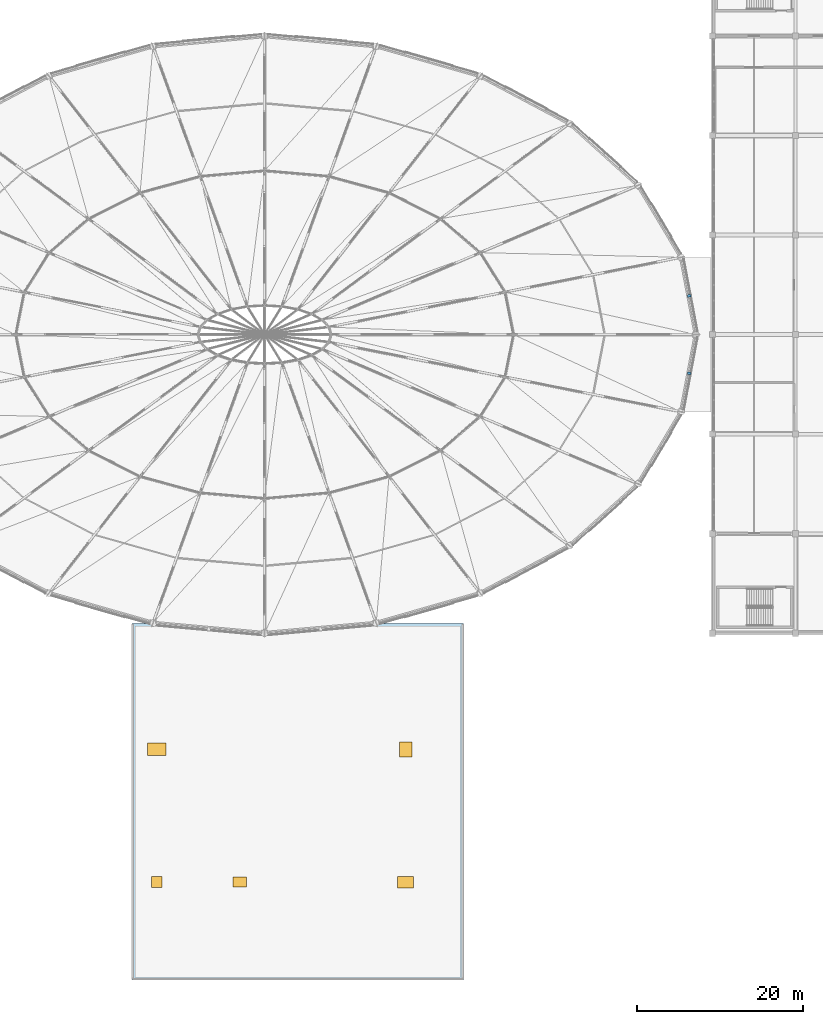
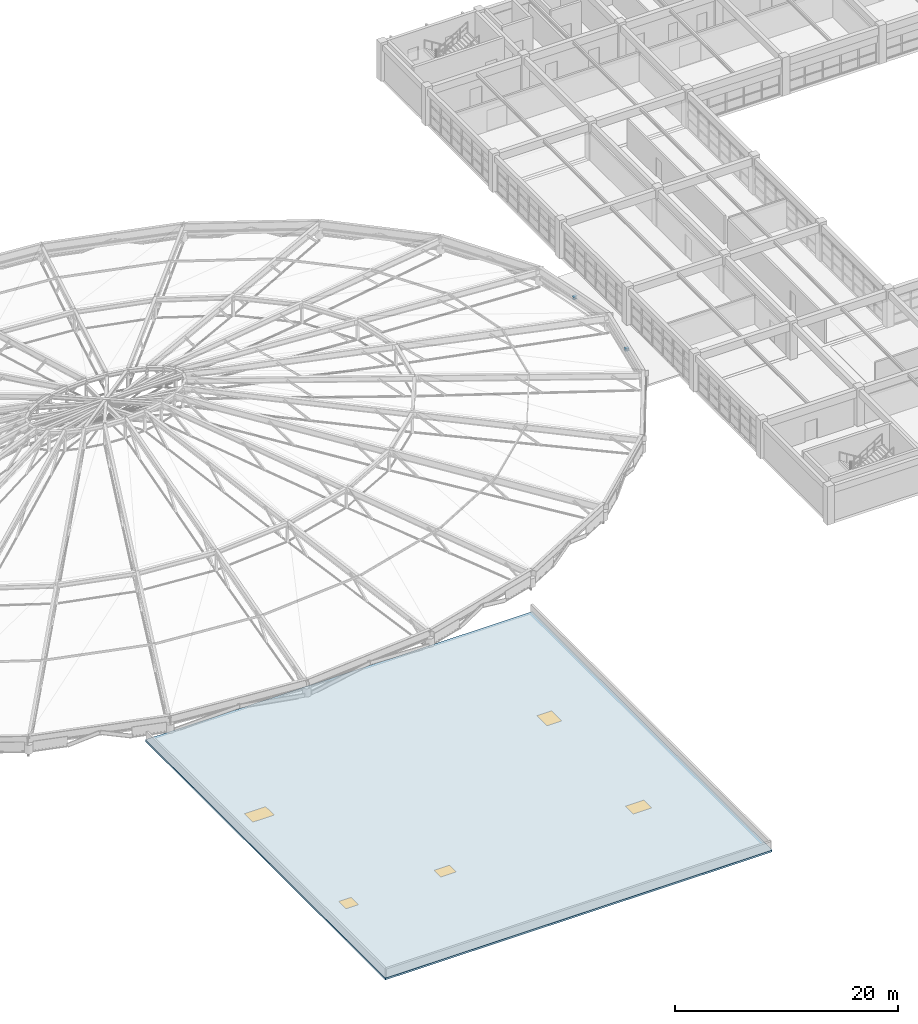
# One storey, part 44 of 83: 5 windows, 2 beams, 1 slab, 5 openings.
"""IFC4 building model written with IfcOpenShell, lengths in metres."""

from ifc_helpers import new_model, si_unit, direction, frame, origin, origin_2d, place, context, subcontext, project, spatial, polyline, rectangle, i_section, outline, extrude, material, layer, layer_set, material_profile, profile_set, type_object, element, fill, save


model = new_model("IFC4")

# Units and contexts
model_context = context("Model", 3, precision=1e-05, world=origin(), true_north=direction((0.0, 1.0)))
body_context = subcontext(model_context, "Body", "Model", "MODEL_VIEW")
ifc_project = project(units=[si_unit("LENGTHUNIT", "METRE"), si_unit("AREAUNIT", "SQUARE_METRE"), si_unit("VOLUMEUNIT", "CUBIC_METRE"), si_unit("PLANEANGLEUNIT", "RADIAN"), si_unit("MASSUNIT", "GRAM", prefix="KILO")], contexts=[model_context])

# Site, building, storey
site_placement = place(None, origin())
site = spatial("IfcSite", under=ifc_project, at=site_placement, CompositionType="ELEMENT")
building_placement = place(site_placement, origin())
building = spatial("IfcBuilding", under=site, at=building_placement, Name="Kivolera Central Railway Station", CompositionType="ELEMENT")
storey_placement = place(building_placement, frame((0.0, 0.0, 14.39990234375)))
storey = spatial("IfcBuildingStorey", under=building, at=storey_placement, Name="L03", CompositionType="ELEMENT", Elevation=14.39990234375)

# Beams
ifc_material_1 = material(Name="Steel S355", Category="steel")
ifc_material_profile = material_profile(ifc_material_1, i_section(OverallWidth=0.300048828125, OverallDepth=0.300048828125, WebThickness=0.010986328125, FlangeThickness=0.01904296875, FilletRadius=0.027099609375, at=origin_2d()), Name="HEB 300")
ifc_profile_set = profile_set([ifc_material_profile], Name="Steel S355")
beam_type = type_object("IfcBeamType", Name="BM-LANT-ARCH", PredefinedType="SPANDREL", material=ifc_profile_set)
for number, where, z_axis, x_axis, name in (
    (1, (114.97607421875, 94.632080078125, 0.920166015625), (0.982260321954, 0.1875224251, 0.0), (-0.1875224251, 0.982260321954, 0.0), "Lantern Clerestory Arch Keystone Bracket 01"),
    (2, (114.97607421875, 85.367919921875, 0.920166015625), (0.982260321954, -0.1875224251, 0.0), (0.1875224251, 0.982260321954, 0.0), "Lantern Clerestory Arch Keystone Bracket 24"),
):
    element("IfcBeam", number, at=place(storey_placement, frame(where, z_axis=z_axis, x_axis=x_axis)), inside=storey, type_object=beam_type, Name=name, PredefinedType="SPANDREL", context=body_context, shape_type="SweptSolid", body=[
        extrude(i_section(OverallWidth=0.300048828125, OverallDepth=0.300048828125, WebThickness=0.010986328125, FlangeThickness=0.01904296875, FilletRadius=0.027099609375, at=origin_2d()), origin(), (0.0, 0.0, 1.0), 0.41015625),
    ])

# Slab, openings, windows
ifc_material_2 = material(Name="Concrete C40/50", Category="concrete")
ifc_layer = layer(ifc_material_2, 0.199951171875, Name="Concrete C40/50")
ifc_layer_set = layer_set([ifc_layer], Name="Concrete C40/50")
slab_type = type_object("IfcSlabType", Name="SLB-MON-200", PredefinedType="ROOF", material=ifc_layer_set)
slab_placement = place(storey_placement, frame((0.0, 0.0, -0.199951171875)))
slab = element("IfcSlab", 3, at=slab_placement, inside=storey, type_object=slab_type, Name="L03 Over-Track Concourse Maintenance Roof Slab", PredefinedType="ROOF", context=body_context, shape_type="SweptSolid", body=[
    extrude(outline(polyline([(48.0, 12.199951171875), (88.0, 12.199951171875), (88.0, 55.199951171875), (48.0, 55.199951171875), (48.0, 12.199951171875)])), origin(), (0.0, 0.0, 1.0), 0.199951171875),
])
opening_1_placement = place(slab_placement, frame((51.0, 24.0, 0.0)))
opening_1 = element("IfcOpeningElement", 4, at=opening_1_placement, cuts=slab, Name="Opening SK-01", PredefinedType="OPENING", context=body_context, shape_type="SweptSolid", body=[
    extrude(rectangle(XDim=1.300048828125, YDim=1.300048828125, at=origin_2d()), frame((0.0, 0.0, -0.010009765625)), (0.0, 0.0, 1.0), 0.219970703125),
])
opening_2_placement = place(slab_placement, frame((61.0, 24.0, 0.0)))
opening_2 = element("IfcOpeningElement", 5, at=opening_2_placement, cuts=slab, Name="Opening SK-02", PredefinedType="OPENING", context=body_context, shape_type="SweptSolid", body=[
    extrude(rectangle(XDim=1.60009765625, YDim=1.199951171875, at=origin_2d()), frame((0.0, 0.0, -0.010009765625)), (0.0, 0.0, 1.0), 0.219970703125),
])
opening_3_placement = place(slab_placement, frame((81.0, 24.0, 0.0)))
opening_3 = element("IfcOpeningElement", 6, at=opening_3_placement, cuts=slab, Name="Opening SK-03", PredefinedType="OPENING", context=body_context, shape_type="SweptSolid", body=[
    extrude(rectangle(XDim=1.89990234375, YDim=1.39990234375, at=origin_2d()), frame((0.0, 0.0, -0.010009765625)), (0.0, 0.0, 1.0), 0.219970703125),
])
opening_4_placement = place(slab_placement, frame((51.0, 40.0, 0.0)))
opening_4 = element("IfcOpeningElement", 7, at=opening_4_placement, cuts=slab, Name="Opening SK-04", PredefinedType="OPENING", context=body_context, shape_type="SweptSolid", body=[
    extrude(rectangle(XDim=2.199951171875, YDim=1.5, at=origin_2d()), frame((0.0, 0.0, -0.010009765625)), (0.0, 0.0, 1.0), 0.219970703125),
])
opening_5_placement = place(slab_placement, frame((81.0, 40.0, 0.0)))
opening_5 = element("IfcOpeningElement", 8, at=opening_5_placement, cuts=slab, Name="Opening SK-05", PredefinedType="OPENING", context=body_context, shape_type="SweptSolid", body=[
    extrude(rectangle(XDim=1.5, YDim=1.800048828125, at=origin_2d()), frame((0.0, 0.0, -0.010009765625)), (0.0, 0.0, 1.0), 0.219970703125),
])
ifc_material_3 = material(Name="Double low-E laminated glass", Category="glass")
window_type_1 = type_object("IfcWindowType", Name="WIN-SK-01", PartitioningType="SINGLE_PANEL", PredefinedType="SKYLIGHT", material=ifc_material_3)
window_1_placement = place(opening_1_placement, frame((0.0, 0.0, 0.14990234375)))
window_1 = element("IfcWindow", 9, at=window_1_placement, inside=storey, type_object=window_type_1, Name="L03 Roof Daylight Skylight SKL-L03-1", OverallHeight=1.300048828125, OverallWidth=1.300048828125, PartitioningType="SINGLE_PANEL", PredefinedType="SKYLIGHT", context=body_context, shape_type="SweptSolid", body=[
    extrude(rectangle(XDim=1.300048828125, YDim=1.300048828125, at=origin_2d()), origin(), (0.0, 0.0, 1.0), 0.050048828125),
])
fill(opening_1, window_1)
window_type_2 = type_object("IfcWindowType", Name="WIN-SK-02", PartitioningType="SINGLE_PANEL", PredefinedType="SKYLIGHT", material=ifc_material_3)
window_2_placement = place(opening_2_placement, frame((0.0, 0.0, 0.14990234375)))
window_2 = element("IfcWindow", 10, at=window_2_placement, inside=storey, type_object=window_type_2, Name="L03 Roof Daylight Skylight SKL-L03-2", OverallHeight=1.199951171875, OverallWidth=1.60009765625, PartitioningType="SINGLE_PANEL", PredefinedType="SKYLIGHT", context=body_context, shape_type="SweptSolid", body=[
    extrude(rectangle(XDim=1.60009765625, YDim=1.199951171875, at=origin_2d()), origin(), (0.0, 0.0, 1.0), 0.050048828125),
])
fill(opening_2, window_2)
window_type_3 = type_object("IfcWindowType", Name="WIN-SK-03", PartitioningType="SINGLE_PANEL", PredefinedType="SKYLIGHT", material=ifc_material_3)
window_3_placement = place(opening_3_placement, frame((0.0, 0.0, 0.14990234375)))
window_3 = element("IfcWindow", 11, at=window_3_placement, inside=storey, type_object=window_type_3, Name="L03 Roof Daylight Skylight SKL-L03-3", OverallHeight=1.39990234375, OverallWidth=1.89990234375, PartitioningType="SINGLE_PANEL", PredefinedType="SKYLIGHT", context=body_context, shape_type="SweptSolid", body=[
    extrude(rectangle(XDim=1.89990234375, YDim=1.39990234375, at=origin_2d()), origin(), (0.0, 0.0, 1.0), 0.050048828125),
])
fill(opening_3, window_3)
window_type_4 = type_object("IfcWindowType", Name="WIN-SK-04", PartitioningType="SINGLE_PANEL", PredefinedType="SKYLIGHT", material=ifc_material_3)
window_4_placement = place(opening_4_placement, frame((0.0, 0.0, 0.14990234375)))
window_4 = element("IfcWindow", 12, at=window_4_placement, inside=storey, type_object=window_type_4, Name="L03 Roof Daylight Skylight SKL-L03-4", OverallHeight=1.5, OverallWidth=2.199951171875, PartitioningType="SINGLE_PANEL", PredefinedType="SKYLIGHT", context=body_context, shape_type="SweptSolid", body=[
    extrude(rectangle(XDim=2.199951171875, YDim=1.5, at=origin_2d()), origin(), (0.0, 0.0, 1.0), 0.050048828125),
])
fill(opening_4, window_4)
window_type_5 = type_object("IfcWindowType", Name="WIN-SK-05", PartitioningType="SINGLE_PANEL", PredefinedType="SKYLIGHT", material=ifc_material_3)
window_5_placement = place(opening_5_placement, frame((0.0, 0.0, 0.14990234375)))
window_5 = element("IfcWindow", 13, at=window_5_placement, inside=storey, type_object=window_type_5, Name="L03 Roof Daylight Skylight SKL-L03-5", OverallHeight=1.800048828125, OverallWidth=1.5, PartitioningType="SINGLE_PANEL", PredefinedType="SKYLIGHT", context=body_context, shape_type="SweptSolid", body=[
    extrude(rectangle(XDim=1.5, YDim=1.800048828125, at=origin_2d()), origin(), (0.0, 0.0, 1.0), 0.050048828125),
])
fill(opening_5, window_5)

save(model, "model.ifc")
